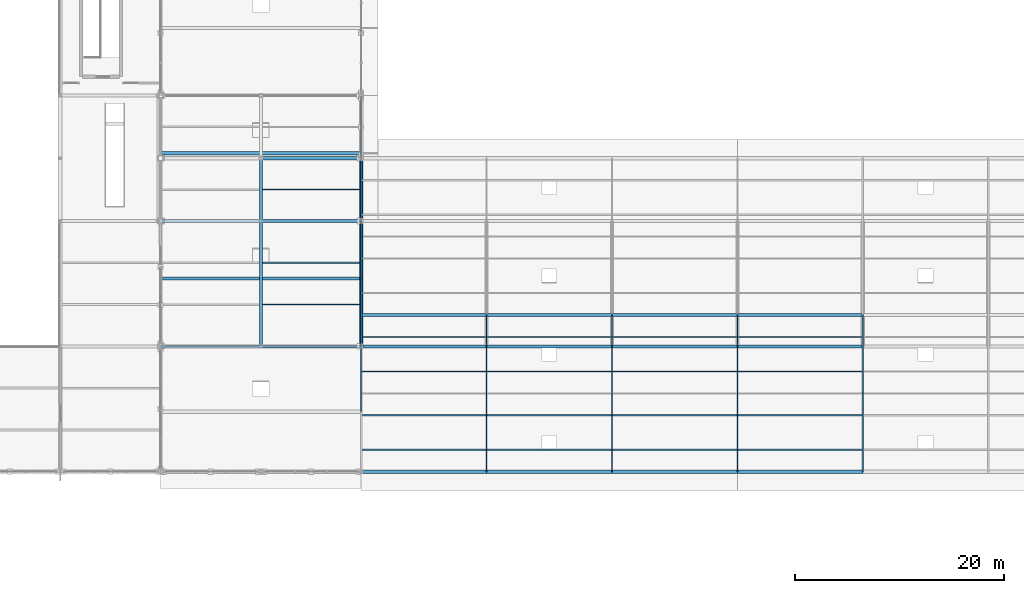
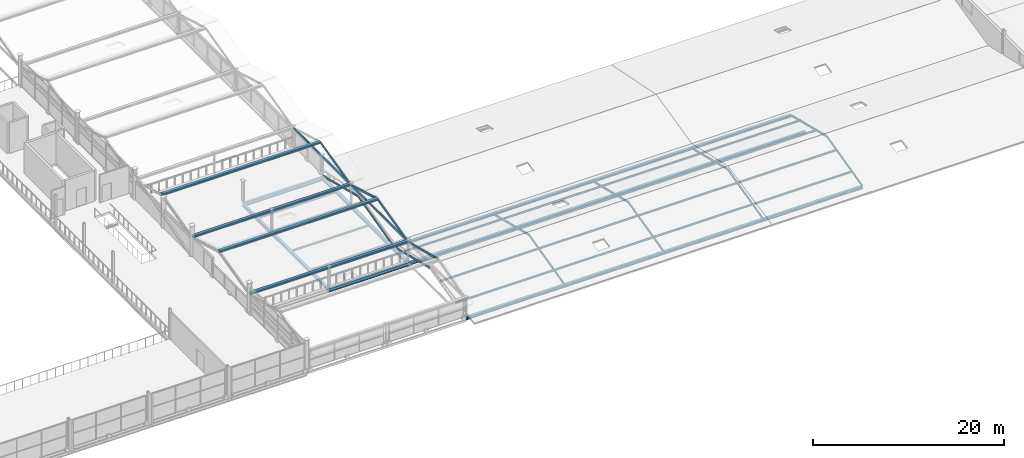
# One storey, part 45 of 117: 31 members, 28 beams.
"""IFC4 building model written with IfcOpenShell, lengths in metres."""

from ifc_helpers import new_model, si_unit, direction, frame, origin, origin_2d, place, context, subcontext, project, spatial, hollow_rectangle, i_section, extrude, material, material_profile, profile_set, type_object, element, save


model = new_model("IFC4")

# Units and contexts
model_context = context("Model", 3, precision=1e-05, world=origin(), true_north=direction((0.0, 1.0)))
body_context = subcontext(model_context, "Body", "Model", "MODEL_VIEW")
ifc_project = project(units=[si_unit("LENGTHUNIT", "METRE"), si_unit("AREAUNIT", "SQUARE_METRE"), si_unit("VOLUMEUNIT", "CUBIC_METRE"), si_unit("PLANEANGLEUNIT", "RADIAN"), si_unit("MASSUNIT", "GRAM", prefix="KILO")], contexts=[model_context])

# Site, building, storey
site_placement = place(None, origin())
site = spatial("IfcSite", under=ifc_project, at=site_placement, CompositionType="ELEMENT")
building_placement = place(site_placement, origin())
building = spatial("IfcBuilding", under=site, at=building_placement, Name="Merenkruunu Market Hall", CompositionType="ELEMENT")
storey_placement = place(building_placement, frame((0.0, 0.0, 10.199951171875)))
storey = spatial("IfcBuildingStorey", under=building, at=storey_placement, Name="L02", CompositionType="ELEMENT", Elevation=10.199951171875)

# Beams
ifc_material_1 = material(Name="Steel S355J2", Category="steel")
ifc_material_profile_1 = material_profile(ifc_material_1, hollow_rectangle(XDim=0.14990234375, YDim=0.25, WallThickness=0.010009765625, InnerFilletRadius=0.010009765625, OuterFilletRadius=0.02001953125, at=origin_2d()), Name="RHS 250x150x10")
ifc_profile_set_1 = profile_set([ifc_material_profile_1], Name="Steel S355J2")
beam_type_1 = type_object("IfcBeamType", Name="Perimeter Spandrel Beam SP04", PredefinedType="SPANDREL", material=ifc_profile_set_1)
for number, where, z_axis, x_axis, name in (
    (1, (76.800048828125, 27.60009765625, 2.295166015625), (0.0, 1.0, 0.0), (-1.0, 0.0, 0.0), "BM-L02-SP04-1271"),
    (2, (76.800048828125, 39.60009765625, 2.295166015625), (0.0, 1.0, 0.0), (-1.0, 0.0, 0.0), "BM-L02-SP04-1275"),
):
    element("IfcBeam", number, at=place(storey_placement, frame(where, z_axis=z_axis, x_axis=x_axis)), inside=storey, type_object=beam_type_1, Name=name, PredefinedType="SPANDREL", context=body_context, shape_type="SweptSolid", body=[
        extrude(hollow_rectangle(XDim=0.14990234375, YDim=0.25, WallThickness=0.010009765625, InnerFilletRadius=0.010009765625, OuterFilletRadius=0.02001953125, at=origin_2d()), origin(), (0.0, 0.0, 1.0), 12.0),
    ])
ifc_material_profile_2 = material_profile(ifc_material_1, i_section(OverallWidth=0.300048828125, OverallDepth=0.43994140625, WebThickness=0.011474609375, FlangeThickness=0.02099609375, FilletRadius=0.027099609375, at=origin_2d()), Name="HEA 450")
ifc_profile_set_2 = profile_set([ifc_material_profile_2], Name="Steel S355J2")
beam_type_2 = type_object("IfcBeamType", Name="Primary Floor Girder B07", PredefinedType="BEAM", material=ifc_profile_set_2)
for number, where, z_axis, x_axis, name in (
    (3, (67.199951171875, 27.60009765625, -0.489990234375), (1.0, 0.0, 0.0), (0.0, 1.0, 0.0), "BM-L02-B07-0757"),
    (4, (67.199951171875, 39.60009765625, -0.489990234375), (1.0, 0.0, 0.0), (0.0, 1.0, 0.0), "BM-L02-B07-0764"),
    (5, (67.199951171875, 45.60009765625, -0.489990234375), (1.0, 0.0, 0.0), (0.0, 1.0, 0.0), "BM-L02-B07-0770"),
):
    element("IfcBeam", number, at=place(storey_placement, frame(where, z_axis=z_axis, x_axis=x_axis)), inside=storey, type_object=beam_type_2, Name=name, PredefinedType="BEAM", context=body_context, shape_type="SweptSolid", body=[
        extrude(i_section(OverallWidth=0.300048828125, OverallDepth=0.43994140625, WebThickness=0.011474609375, FlangeThickness=0.02099609375, FilletRadius=0.027099609375, at=origin_2d()), origin(), (0.0, 0.0, 1.0), 9.60009765625),
    ])
ifc_material_profile_3 = material_profile(ifc_material_1, i_section(OverallWidth=0.300048828125, OverallDepth=0.35009765625, WebThickness=0.010009765625, FlangeThickness=0.017578125, FilletRadius=0.027099609375, at=origin_2d()), Name="HEA 360")
ifc_profile_set_3 = profile_set([ifc_material_profile_3], Name="Steel S355J2")
beam_type_3 = type_object("IfcBeamType", Name="Primary Floor Girder B08", PredefinedType="BEAM", material=ifc_profile_set_3)
beam_1_placement = place(storey_placement, frame((67.199951171875, 27.60009765625, -0.445068359375), z_axis=(0.0, 1.0, 0.0), x_axis=(-1.0, 0.0, 0.0)))
element("IfcBeam", 6, at=beam_1_placement, inside=storey, type_object=beam_type_3, Name="BM-L02-B08-0790", PredefinedType="BEAM", context=body_context, shape_type="SweptSolid", body=[
    extrude(i_section(OverallWidth=0.300048828125, OverallDepth=0.35009765625, WebThickness=0.010009765625, FlangeThickness=0.017578125, FilletRadius=0.027099609375, at=origin_2d()), origin(), (0.0, 0.0, 1.0), 12.0),
])
beam_2_placement = place(storey_placement, frame((67.199951171875, 39.60009765625, -0.445068359375), z_axis=(0.0, 1.0, 0.0), x_axis=(-1.0, 0.0, 0.0)))
element("IfcBeam", 7, at=beam_2_placement, inside=storey, type_object=beam_type_3, Name="BM-L02-B08-0791", PredefinedType="BEAM", context=body_context, shape_type="SweptSolid", body=[
    extrude(i_section(OverallWidth=0.300048828125, OverallDepth=0.35009765625, WebThickness=0.010009765625, FlangeThickness=0.017578125, FilletRadius=0.027099609375, at=origin_2d()), origin(), (0.0, 0.0, 1.0), 6.0),
])
beam_3_placement = place(storey_placement, frame((76.800048828125, 27.60009765625, -0.445068359375), z_axis=(0.0, 1.0, 0.0), x_axis=(-1.0, 0.0, 0.0)))
element("IfcBeam", 8, at=beam_3_placement, inside=storey, type_object=beam_type_3, Name="BM-L02-B08-0793", PredefinedType="BEAM", context=body_context, shape_type="SweptSolid", body=[
    extrude(i_section(OverallWidth=0.300048828125, OverallDepth=0.35009765625, WebThickness=0.010009765625, FlangeThickness=0.017578125, FilletRadius=0.027099609375, at=origin_2d()), origin(), (0.0, 0.0, 1.0), 12.0),
])
beam_4_placement = place(storey_placement, frame((76.800048828125, 39.60009765625, -0.445068359375), z_axis=(0.0, 1.0, 0.0), x_axis=(-1.0, 0.0, 0.0)))
element("IfcBeam", 9, at=beam_4_placement, inside=storey, type_object=beam_type_3, Name="BM-L02-B08-0794", PredefinedType="BEAM", context=body_context, shape_type="SweptSolid", body=[
    extrude(i_section(OverallWidth=0.300048828125, OverallDepth=0.35009765625, WebThickness=0.010009765625, FlangeThickness=0.017578125, FilletRadius=0.027099609375, at=origin_2d()), origin(), (0.0, 0.0, 1.0), 6.0),
])
for number, where, z_axis, x_axis, name in (
    (10, (76.800048828125, 15.60009765625, -0.175048828125), (1.0, 0.0, 0.0), (0.0, 1.0, 0.0), "BM-L02-B08-1180"),
    (11, (76.800048828125, 27.60009765625, -0.48486328125), (1.0, 0.0, 0.0), (0.0, 1.0, 0.0), "BM-L02-B08-1181"),
    (12, (88.800048828125, 15.60009765625, -0.175048828125), (1.0, 0.0, 0.0), (0.0, 1.0, 0.0), "BM-L02-B08-1186"),
    (13, (88.800048828125, 27.60009765625, -0.48486328125), (1.0, 0.0, 0.0), (0.0, 1.0, 0.0), "BM-L02-B08-1187"),
    (14, (100.800048828125, 15.60009765625, -0.175048828125), (1.0, 0.0, 0.0), (0.0, 1.0, 0.0), "BM-L02-B08-1192"),
    (15, (100.800048828125, 27.60009765625, -0.48486328125), (1.0, 0.0, 0.0), (0.0, 1.0, 0.0), "BM-L02-B08-1193"),
    (16, (112.800048828125, 15.60009765625, -0.175048828125), (1.0, 0.0, 0.0), (0.0, 1.0, 0.0), "BM-L02-B08-1198"),
    (17, (112.800048828125, 27.60009765625, -0.48486328125), (1.0, 0.0, 0.0), (0.0, 1.0, 0.0), "BM-L02-B08-1199"),
):
    element("IfcBeam", number, at=place(storey_placement, frame(where, z_axis=z_axis, x_axis=x_axis)), inside=storey, type_object=beam_type_3, Name=name, PredefinedType="BEAM", context=body_context, shape_type="SweptSolid", body=[
        extrude(i_section(OverallWidth=0.300048828125, OverallDepth=0.35009765625, WebThickness=0.010009765625, FlangeThickness=0.017578125, FilletRadius=0.027099609375, at=origin_2d()), origin(), (0.0, 0.0, 1.0), 12.0),
    ])
ifc_material_profile_4 = material_profile(ifc_material_1, i_section(OverallWidth=0.300048828125, OverallDepth=0.2900390625, WebThickness=0.008544921875, FlangeThickness=0.013916015625, FilletRadius=0.027099609375, at=origin_2d()), Name="HEA 300")
ifc_profile_set_4 = profile_set([ifc_material_profile_4], Name="Steel S355J2")
beam_type_4 = type_object("IfcBeamType", Name="Primary Floor Girder B09", PredefinedType="BEAM", material=ifc_profile_set_4)
for number, where, z_axis, x_axis, name in (
    (18, (76.800048828125, 30.60009765625, -0.14501953125), (1.0, 0.0, 0.0), (0.0, 1.0, 0.0), "BM-L02-B09-1184"),
    (19, (88.800048828125, 30.60009765625, -0.14501953125), (1.0, 0.0, 0.0), (0.0, 1.0, 0.0), "BM-L02-B09-1190"),
    (20, (100.800048828125, 30.60009765625, -0.14501953125), (1.0, 0.0, 0.0), (0.0, 1.0, 0.0), "BM-L02-B09-1196"),
    (21, (112.800048828125, 30.60009765625, -0.14501953125), (1.0, 0.0, 0.0), (0.0, 1.0, 0.0), "BM-L02-B09-1202"),
):
    element("IfcBeam", number, at=place(storey_placement, frame(where, z_axis=z_axis, x_axis=x_axis)), inside=storey, type_object=beam_type_4, Name=name, PredefinedType="BEAM", context=body_context, shape_type="SweptSolid", body=[
        extrude(i_section(OverallWidth=0.300048828125, OverallDepth=0.2900390625, WebThickness=0.008544921875, FlangeThickness=0.013916015625, FilletRadius=0.027099609375, at=origin_2d()), origin(), (0.0, 0.0, 1.0), 12.0),
    ])
for number, where, z_axis, x_axis, name in (
    (22, (57.60009765625, 27.60009765625, 2.43505859375), (1.0, 0.0, 0.0), (0.0, 1.0, 0.0), "BM-L02-B09-1296"),
    (23, (57.60009765625, 34.080078125, 3.875), (1.0, 0.0, 0.0), (0.0, 1.0, 0.0), "BM-L02-B09-1297"),
    (24, (57.60009765625, 39.60009765625, 2.43505859375), (1.0, 0.0, 0.0), (0.0, 1.0, 0.0), "BM-L02-B09-1298"),
    (25, (57.60009765625, 46.080078125, 3.875), (1.0, 0.0, 0.0), (0.0, 1.0, 0.0), "BM-L02-B09-1299"),
):
    element("IfcBeam", number, at=place(storey_placement, frame(where, z_axis=z_axis, x_axis=x_axis)), inside=storey, type_object=beam_type_4, Name=name, PredefinedType="BEAM", context=body_context, shape_type="SweptSolid", body=[
        extrude(i_section(OverallWidth=0.300048828125, OverallDepth=0.2900390625, WebThickness=0.008544921875, FlangeThickness=0.013916015625, FilletRadius=0.027099609375, at=origin_2d()), origin(), (0.0, 0.0, 1.0), 19.199951171875),
    ])

# Members
ifc_material_2 = material(Name="Steel S355ML", Category="steel")
ifc_material_profile_5 = material_profile(ifc_material_2, i_section(OverallWidth=0.1201171875, OverallDepth=0.239990234375, WebThickness=0.006103515625, FlangeThickness=0.009765625, FilletRadius=0.014892578125, at=origin_2d()), Name="IPE 240")
ifc_profile_set_5 = profile_set([ifc_material_profile_5], Name="Steel S355ML")
member_type = type_object("IfcMemberType", Name="Roof Purlin Rafter PR02", PredefinedType="PURLIN", material=ifc_profile_set_5)
member_1_placement = place(storey_placement, frame((76.800048828125, 23.10009765625, 1.7099609375), z_axis=(0.0, 0.970601665128, -0.240691519692), x_axis=(-1.0, 0.0, 0.0)))
element("IfcMember", 26, at=member_1_placement, inside=storey, type_object=member_type, Name="MEM-V2-RAFT-002", PredefinedType="PURLIN", context=body_context, shape_type="SweptSolid", body=[
    extrude(i_section(OverallWidth=0.1201171875, OverallDepth=0.239990234375, WebThickness=0.006103515625, FlangeThickness=0.009765625, FilletRadius=0.014892578125, at=origin_2d()), origin(), (0.0, 0.0, 1.0), 7.72705078125),
])
for number, where, z_axis, x_axis, name in (
    (27, (76.800048828125, 30.60009765625, -0.14990234375), (0.0, 0.969071803279, 0.246778929591), (-1.0, 0.0, 0.0), "MEM-V2-RAFT-003"),
    (28, (76.800048828125, 38.10009765625, 1.760009765625), (0.0, 0.969071803279, -0.246778929591), (-1.0, 0.0, 0.0), "MEM-V2-RAFT-004"),
):
    element("IfcMember", number, at=place(storey_placement, frame(where, z_axis=z_axis, x_axis=x_axis)), inside=storey, type_object=member_type, Name=name, PredefinedType="PURLIN", context=body_context, shape_type="SweptSolid", body=[
        extrude(i_section(OverallWidth=0.1201171875, OverallDepth=0.239990234375, WebThickness=0.006103515625, FlangeThickness=0.009765625, FilletRadius=0.014892578125, at=origin_2d()), origin(), (0.0, 0.0, 1.0), 7.7392578125),
    ])
for number, where, z_axis, x_axis, name in (
    (29, (88.800048828125, 15.60009765625, -0.14990234375), (0.0, 0.970601665128, 0.240691519692), (-1.0, 0.0, 0.0), "MEM-V2-RAFT-005"),
    (30, (88.800048828125, 23.10009765625, 1.7099609375), (0.0, 0.970601665128, -0.240691519692), (-1.0, 0.0, 0.0), "MEM-V2-RAFT-006"),
    (31, (100.800048828125, 15.60009765625, -0.14990234375), (0.0, 0.970601665128, 0.240691519692), (-1.0, 0.0, 0.0), "MEM-V2-RAFT-009"),
    (32, (100.800048828125, 23.10009765625, 1.7099609375), (0.0, 0.970601665128, -0.240691519692), (-1.0, 0.0, 0.0), "MEM-V2-RAFT-010"),
    (33, (112.800048828125, 15.60009765625, -0.14990234375), (0.0, 0.970601665128, 0.240691519692), (-1.0, 0.0, 0.0), "MEM-V2-RAFT-013"),
    (34, (112.800048828125, 23.10009765625, 1.7099609375), (0.0, 0.970601665128, -0.240691519692), (-1.0, 0.0, 0.0), "MEM-V2-RAFT-014"),
    (35, (124.800048828125, 15.60009765625, -0.14990234375), (0.0, 0.970601665128, 0.240691519692), (-1.0, 0.0, 0.0), "MEM-V2-RAFT-017"),
    (36, (124.800048828125, 23.10009765625, 1.7099609375), (0.0, 0.970601665128, -0.240691519692), (-1.0, 0.0, 0.0), "MEM-V2-RAFT-018"),
):
    element("IfcMember", number, at=place(storey_placement, frame(where, z_axis=z_axis, x_axis=x_axis)), inside=storey, type_object=member_type, Name=name, PredefinedType="PURLIN", context=body_context, shape_type="SweptSolid", body=[
        extrude(i_section(OverallWidth=0.1201171875, OverallDepth=0.239990234375, WebThickness=0.006103515625, FlangeThickness=0.009765625, FilletRadius=0.014892578125, at=origin_2d()), origin(), (0.0, 0.0, 1.0), 7.72705078125),
    ])
for number, where, z_axis, x_axis, name in (
    (37, (76.804931640625, 17.699951171875, 0.529052734375), (1.0, 0.0, 0.0), (0.0, 1.0, 0.0), "MEM-V2-PURL-029"),
    (38, (76.804931640625, 21.0, 1.262939453125), (1.0, 0.0, 0.0), (0.0, 1.0, 0.0), "MEM-V2-PURL-030"),
    (39, (76.804931640625, 25.199951171875, 1.255126953125), (1.0, 0.0, 0.0), (0.0, 1.0, 0.0), "MEM-V2-PURL-031"),
    (40, (76.804931640625, 28.5, 0.507080078125), (1.0, 0.0, 0.0), (0.0, 1.0, 0.0), "MEM-V2-PURL-032"),
    (41, (88.804931640625, 17.699951171875, 0.529052734375), (1.0, 0.0, 0.0), (0.0, 1.0, 0.0), "MEM-V2-PURL-037"),
    (42, (88.804931640625, 21.0, 1.262939453125), (1.0, 0.0, 0.0), (0.0, 1.0, 0.0), "MEM-V2-PURL-038"),
    (43, (88.804931640625, 25.199951171875, 1.255126953125), (1.0, 0.0, 0.0), (0.0, 1.0, 0.0), "MEM-V2-PURL-039"),
    (44, (88.804931640625, 28.5, 0.507080078125), (1.0, 0.0, 0.0), (0.0, 1.0, 0.0), "MEM-V2-PURL-040"),
    (45, (100.804931640625, 17.699951171875, 0.529052734375), (1.0, 0.0, 0.0), (0.0, 1.0, 0.0), "MEM-V2-PURL-045"),
    (46, (100.804931640625, 21.0, 1.262939453125), (1.0, 0.0, 0.0), (0.0, 1.0, 0.0), "MEM-V2-PURL-046"),
    (47, (100.804931640625, 25.199951171875, 1.255126953125), (1.0, 0.0, 0.0), (0.0, 1.0, 0.0), "MEM-V2-PURL-047"),
    (48, (100.804931640625, 28.5, 0.507080078125), (1.0, 0.0, 0.0), (0.0, 1.0, 0.0), "MEM-V2-PURL-048"),
    (49, (112.804931640625, 17.699951171875, 0.529052734375), (1.0, 0.0, 0.0), (0.0, 1.0, 0.0), "MEM-V2-PURL-053"),
    (50, (112.804931640625, 21.0, 1.262939453125), (1.0, 0.0, 0.0), (0.0, 1.0, 0.0), "MEM-V2-PURL-054"),
    (51, (112.804931640625, 25.199951171875, 1.255126953125), (1.0, 0.0, 0.0), (0.0, 1.0, 0.0), "MEM-V2-PURL-055"),
    (52, (112.804931640625, 28.5, 0.507080078125), (1.0, 0.0, 0.0), (0.0, 1.0, 0.0), "MEM-V2-PURL-056"),
):
    element("IfcMember", number, at=place(storey_placement, frame(where, z_axis=z_axis, x_axis=x_axis)), inside=storey, type_object=member_type, Name=name, PredefinedType="PURLIN", context=body_context, shape_type="SweptSolid", body=[
        extrude(i_section(OverallWidth=0.1201171875, OverallDepth=0.239990234375, WebThickness=0.006103515625, FlangeThickness=0.009765625, FilletRadius=0.014892578125, at=origin_2d()), origin(), (0.0, 0.0, 1.0), 11.989990234375),
    ])
member_2_placement = place(storey_placement, frame((76.800048828125, 21.343994140625, 3.880126953125), z_axis=(0.0, 0.968813892169, -0.247789512167), x_axis=(-1.0, 0.0, 0.0)))
element("IfcMember", 53, at=member_2_placement, inside=storey, type_object=member_type, Name="MEM-V4-SAWR-004", PredefinedType="PURLIN", context=body_context, shape_type="SweptSolid", body=[
    extrude(i_section(OverallWidth=0.1201171875, OverallDepth=0.239990234375, WebThickness=0.006103515625, FlangeThickness=0.009765625, FilletRadius=0.014892578125, at=origin_2d()), origin(), (0.0, 0.0, 1.0), 6.45751953125),
])
member_3_placement = place(storey_placement, frame((76.800048828125, 27.60009765625, 2.280029296875), z_axis=(0.0, 0.970839870255, 0.239728901727), x_axis=(-1.0, 0.0, 0.0)))
element("IfcMember", 54, at=member_3_placement, inside=storey, type_object=member_type, Name="MEM-V4-SAWR-007", PredefinedType="PURLIN", context=body_context, shape_type="SweptSolid", body=[
    extrude(i_section(OverallWidth=0.1201171875, OverallDepth=0.239990234375, WebThickness=0.006103515625, FlangeThickness=0.009765625, FilletRadius=0.014892578125, at=origin_2d()), origin(), (0.0, 0.0, 1.0), 6.674560546875),
])
member_4_placement = place(storey_placement, frame((76.800048828125, 34.080078125, 3.880126953125), z_axis=(0.0, 0.960462085918, -0.27841081429), x_axis=(-1.0, 0.0, 0.0)))
element("IfcMember", 55, at=member_4_placement, inside=storey, type_object=member_type, Name="MEM-V4-SAWR-008", PredefinedType="PURLIN", context=body_context, shape_type="SweptSolid", body=[
    extrude(i_section(OverallWidth=0.1201171875, OverallDepth=0.239990234375, WebThickness=0.006103515625, FlangeThickness=0.009765625, FilletRadius=0.014892578125, at=origin_2d()), origin(), (0.0, 0.0, 1.0), 5.747314453125),
])
member_5_placement = place(storey_placement, frame((76.800048828125, 39.60009765625, 2.280029296875), z_axis=(0.0, 0.970839870255, 0.239728901727), x_axis=(-1.0, 0.0, 0.0)))
element("IfcMember", 56, at=member_5_placement, inside=storey, type_object=member_type, Name="MEM-V4-SAWR-011", PredefinedType="PURLIN", context=body_context, shape_type="SweptSolid", body=[
    extrude(i_section(OverallWidth=0.1201171875, OverallDepth=0.239990234375, WebThickness=0.006103515625, FlangeThickness=0.009765625, FilletRadius=0.014892578125, at=origin_2d()), origin(), (0.0, 0.0, 1.0), 6.674560546875),
])

# Beams
ifc_material_profile_6 = material_profile(ifc_material_1, i_section(OverallWidth=0.1201171875, OverallDepth=0.239990234375, WebThickness=0.006103515625, FlangeThickness=0.009765625, FilletRadius=0.014892578125, at=origin_2d()), Name="IPE 240")
ifc_profile_set_6 = profile_set([ifc_material_profile_6], Name="Steel S355J2")
beam_type_5 = type_object("IfcBeamType", Name="Secondary Floor Joist J05", PredefinedType="JOIST", material=ifc_profile_set_6)
for number, where, z_axis, x_axis, name in (
    (57, (67.35302734375, 31.60009765625, -0.389892578125), (1.0, 0.0, 0.0), (0.0, 1.0, 0.0), "BM-L02-J05-0831"),
    (58, (67.35302734375, 35.60009765625, -0.389892578125), (1.0, 0.0, 0.0), (0.0, 1.0, 0.0), "BM-L02-J05-0832"),
    (59, (67.35302734375, 42.60009765625, -0.389892578125), (1.0, 0.0, 0.0), (0.0, 1.0, 0.0), "BM-L02-J05-0833"),
):
    element("IfcBeam", number, at=place(storey_placement, frame(where, z_axis=z_axis, x_axis=x_axis)), inside=storey, type_object=beam_type_5, Name=name, PredefinedType="JOIST", context=body_context, shape_type="SweptSolid", body=[
        extrude(i_section(OverallWidth=0.1201171875, OverallDepth=0.239990234375, WebThickness=0.006103515625, FlangeThickness=0.009765625, FilletRadius=0.014892578125, at=origin_2d()), origin(), (0.0, 0.0, 1.0), 9.2939453125),
    ])

save(model, "model.ifc")
